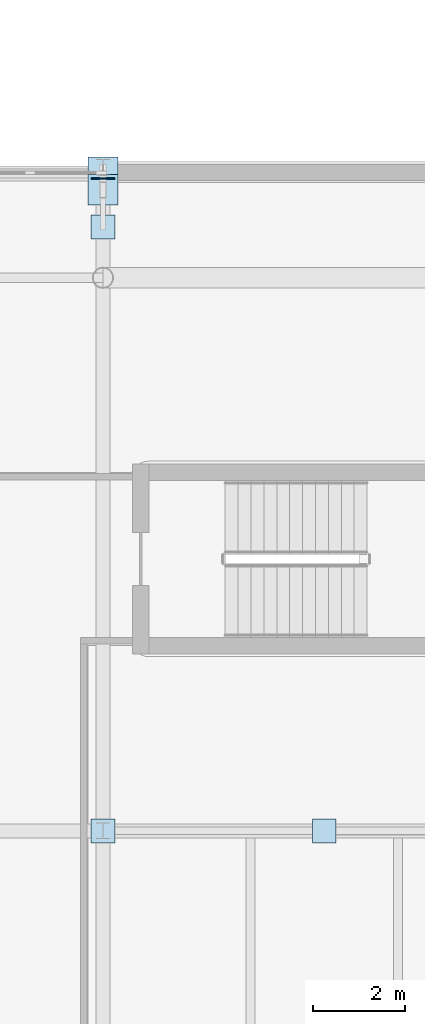
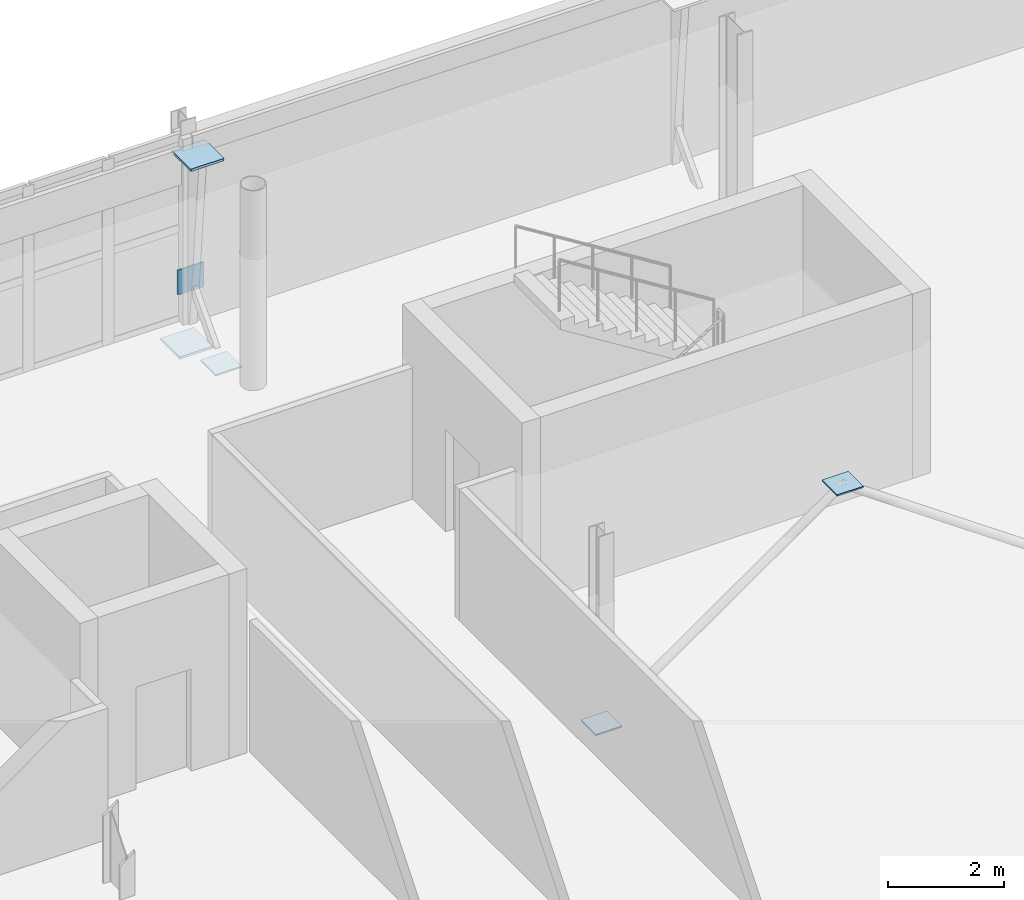
# One storey, part 51 of 90: 6 plates.
"""IFC4 building model written with IfcOpenShell, lengths in metres."""

from ifc_helpers import new_model, si_unit, direction, frame, origin, origin_2d, place, context, subcontext, project, spatial, rectangle, extrude, material, layer, layer_set, type_object, element, save


model = new_model("IFC4")

# Units and contexts
model_context = context("Model", 3, precision=1e-05, world=origin(), true_north=direction((0.0, 1.0)))
body_context = subcontext(model_context, "Body", "Model", "MODEL_VIEW")
ifc_project = project(units=[si_unit("LENGTHUNIT", "METRE"), si_unit("AREAUNIT", "SQUARE_METRE"), si_unit("VOLUMEUNIT", "CUBIC_METRE"), si_unit("PLANEANGLEUNIT", "RADIAN"), si_unit("MASSUNIT", "GRAM", prefix="KILO")], contexts=[model_context])

# Site, building, storey
site_placement = place(None, origin())
site = spatial("IfcSite", under=ifc_project, at=site_placement, CompositionType="ELEMENT")
building_placement = place(site_placement, origin())
building = spatial("IfcBuilding", under=site, at=building_placement, Name="Zereglee Splitstone Museum", CompositionType="ELEMENT")
storey_placement = place(building_placement, frame((0.0, 0.0, 4.800048828125)))
storey = spatial("IfcBuildingStorey", under=building, at=storey_placement, Name="L01", CompositionType="ELEMENT", Elevation=4.800048828125)

# Plates
ifc_material = material(Name="Steel S355J2", Category="steel")
ifc_layer_1 = layer(ifc_material, 0.030029296875)
ifc_layer_set_1 = layer_set([ifc_layer_1], Name="Steel S355J2")
plate_type_1 = type_object("IfcPlateType", Name="NP-04", PredefinedType="SHEET", material=ifc_layer_set_1)
for number, where, z_axis, x_axis, name in (
    (1, (126.0, 38.39990234375, 0.10498046875), (0.0, 0.0, 1.0), (1.0, 0.0, 0.0), "CBF Brace Gusset Cap L01-011"),
    (2, (130.800048828125, 38.39990234375, 3.46484375), (0.0, 0.0, 1.0), (1.0, 0.0, 0.0), "CBF Brace Gusset Cap L01-011"),
    (3, (126.0, 51.5, -0.27490234375), (0.0, 0.0, 1.0), (1.0, 0.0, 0.0), "Facet Tie Seal Plate FH-V2NE"),
):
    element("IfcPlate", number, at=place(storey_placement, frame(where, z_axis=z_axis, x_axis=x_axis)), inside=storey, type_object=plate_type_1, Name=name, PredefinedType="SHEET", context=body_context, shape_type="SweptSolid", body=[
        extrude(rectangle(XDim=0.52001953125, YDim=0.52001953125, at=origin_2d()), origin(), (0.0, 0.0, 1.0), 0.030029296875),
    ])
plate_placement = place(storey_placement, frame((126.0, 52.55419921875, 0.639892578125), z_axis=(0.0, 0.0, 1.0), x_axis=(1.0, 0.0, 0.0)))
element("IfcPlate", 4, at=plate_placement, inside=storey, type_object=plate_type_1, Name="Facet Tie Seal Plate FH-V2NE", PredefinedType="SHEET", context=body_context, shape_type="SweptSolid", body=[
    extrude(rectangle(XDim=0.52001953125, YDim=0.030029296875, at=origin_2d()), origin(), (0.0, 0.0, 1.0), 0.52001953125),
])
ifc_layer_2 = layer(ifc_material, 0.050048828125)
ifc_layer_set_2 = layer_set([ifc_layer_2], Name="Steel S355J2")
plate_type_2 = type_object("IfcPlateType", Name="NP-02", PredefinedType="SHEET", material=ifc_layer_set_2)
for number, where, z_axis, x_axis, name in (
    (5, (126.0, 52.6865234375, -0.5751953125), (0.0, 0.0, 1.0), (1.0, 0.0, 0.0), "Facet Strut Seal Plate FH-V2NE"),
    (6, (126.0, 52.304931640625, 3.60498046875), (0.0, 0.0, 1.0), (1.0, 0.0, 0.0), "Facet Strut Seal Plate FH-V2NE"),
):
    element("IfcPlate", number, at=place(storey_placement, frame(where, z_axis=z_axis, x_axis=x_axis)), inside=storey, type_object=plate_type_2, Name=name, PredefinedType="SHEET", context=body_context, shape_type="SweptSolid", body=[
        extrude(rectangle(XDim=0.659912109375, YDim=0.659912109375, at=origin_2d()), origin(), (0.0, 0.0, 1.0), 0.050048828125),
    ])

save(model, "model.ifc")
